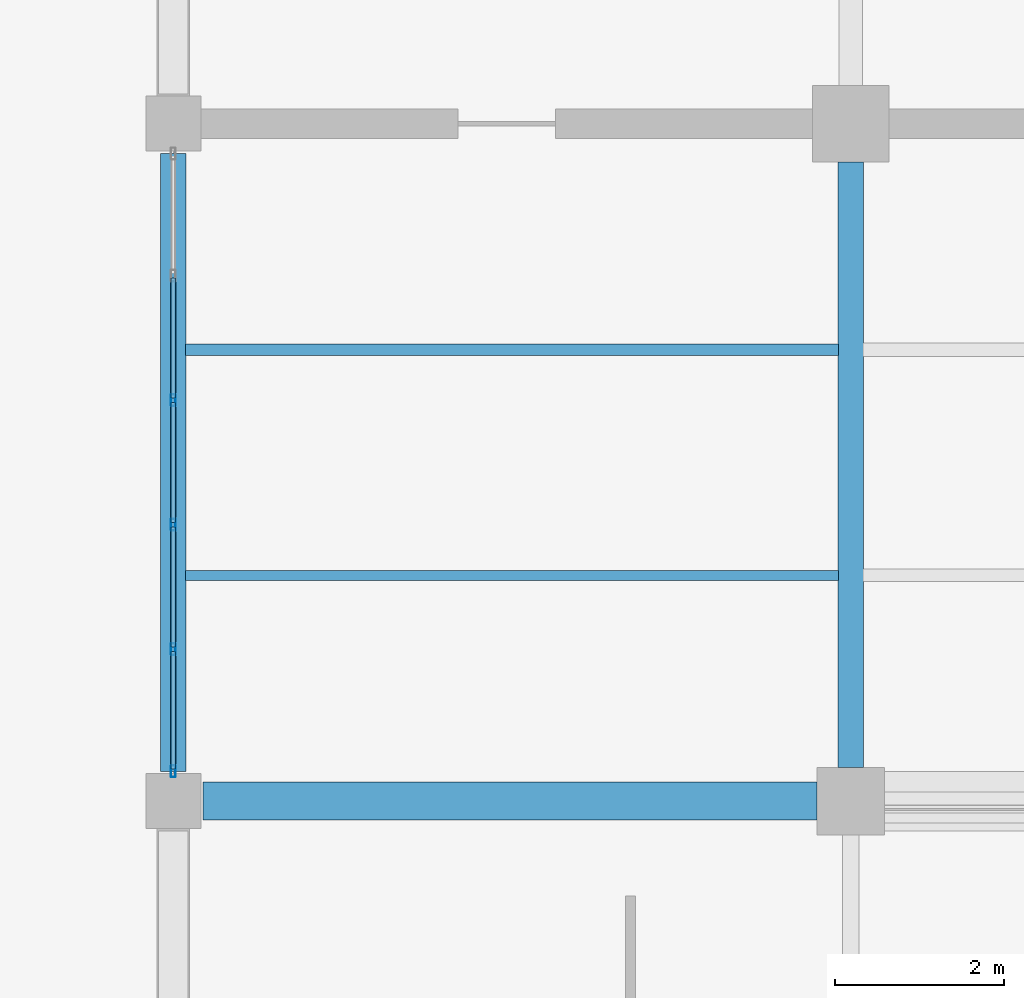
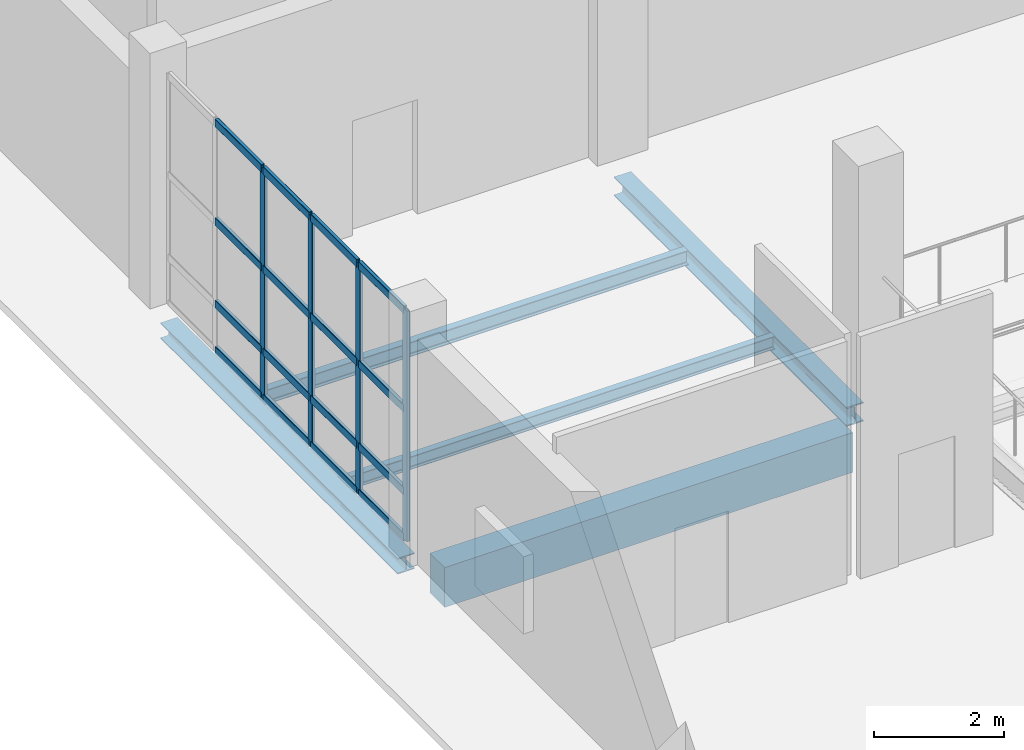
# One storey, part 33 of 156: 20 members, 5 beams, 1 element without a shape of its own.
"""IFC4 building model written with IfcOpenShell, lengths in metres."""

from ifc_helpers import new_model, si_unit, direction, frame, origin, origin_2d, place, context, subcontext, project, spatial, rectangle, hollow_rectangle, i_section, extrude, material, material_profile, profile_set, type_object, element, aggregate, save


model = new_model("IFC4")

# Units and contexts
model_context = context("Model", 3, precision=1e-05, world=origin(), true_north=direction((0.0, 1.0)))
body_context = subcontext(model_context, "Body", "Model", "MODEL_VIEW")
ifc_project = project(units=[si_unit("LENGTHUNIT", "METRE"), si_unit("AREAUNIT", "SQUARE_METRE"), si_unit("VOLUMEUNIT", "CUBIC_METRE"), si_unit("PLANEANGLEUNIT", "RADIAN"), si_unit("MASSUNIT", "GRAM", prefix="KILO")], contexts=[model_context])

# Site, building, storey
site_placement = place(None, origin())
site = spatial("IfcSite", under=ifc_project, at=site_placement, CompositionType="ELEMENT")
building_placement = place(site_placement, origin())
building = spatial("IfcBuilding", under=site, at=building_placement, Name="Luwemba Playhouse", CompositionType="ELEMENT")
storey_placement = place(building_placement, origin())
storey = spatial("IfcBuildingStorey", under=building, at=storey_placement, Name="L00", CompositionType="ELEMENT", Elevation=0.0)

# Beams
ifc_material_1 = material(Name="Concrete C40/50", Category="concrete")
ifc_material_profile_1 = material_profile(ifc_material_1, rectangle(XDim=0.449951171875, YDim=0.75, at=origin_2d()))
ifc_profile_set_1 = profile_set([ifc_material_profile_1], Name="Concrete C40/50")
beam_type_1 = type_object("IfcBeamType", Name="BM-RB04", PredefinedType="BEAM", material=ifc_profile_set_1)
beam_1_placement = place(storey_placement, frame((4.35009765625, 60.0, -0.675048828125), z_axis=(1.0, 0.0, 0.0), x_axis=(0.0, 1.0, 0.0)))
element("IfcBeam", 1, at=beam_1_placement, inside=storey, type_object=beam_type_1, Name="L00 grid girder 0016", PredefinedType="BEAM", context=body_context, shape_type="SweptSolid", body=[
    extrude(rectangle(XDim=0.449951171875, YDim=0.75, at=origin_2d()), origin(), (0.0, 0.0, 1.0), 7.25),
])
ifc_material_2 = material(Name="Steel S355", Category="steel")
ifc_material_profile_2 = material_profile(ifc_material_2, i_section(OverallWidth=0.300048828125, OverallDepth=0.360107421875, WebThickness=0.012451171875, FlangeThickness=0.0224609375, FilletRadius=0.027099609375, at=origin_2d()))
ifc_profile_set_2 = profile_set([ifc_material_profile_2], Name="Steel S355")
beam_type_2 = type_object("IfcBeamType", Name="BM-SB09", PredefinedType="BEAM", material=ifc_profile_set_2)
beam_2_placement = place(storey_placement, frame((12.0, 60.39990234375, -0.47998046875), z_axis=(0.0, 1.0, 0.0), x_axis=(-1.0, 0.0, 0.0)))
element("IfcBeam", 2, at=beam_2_placement, inside=storey, type_object=beam_type_2, Name="L00 transverse girder 0026", PredefinedType="BEAM", context=body_context, shape_type="SweptSolid", body=[
    extrude(i_section(OverallWidth=0.300048828125, OverallDepth=0.360107421875, WebThickness=0.012451171875, FlangeThickness=0.0224609375, FilletRadius=0.027099609375, at=origin_2d()), origin(), (0.0, 0.0, 1.0), 7.150146484375),
])
ifc_material_profile_3 = material_profile(ifc_material_2, i_section(OverallWidth=0.1201171875, OverallDepth=0.239990234375, WebThickness=0.006103515625, FlangeThickness=0.009765625, FilletRadius=0.014892578125, at=origin_2d()))
ifc_profile_set_3 = profile_set([ifc_material_profile_3], Name="Steel S355")
beam_type_3 = type_object("IfcBeamType", Name="BM-SJ03", PredefinedType="JOIST", material=ifc_profile_set_3)
beam_3_placement = place(storey_placement, frame((4.14599609375, 62.666748046875, -0.419921875), z_axis=(1.0, 0.0, 0.0), x_axis=(0.0, 1.0, 0.0)))
element("IfcBeam", 3, at=beam_3_placement, inside=storey, type_object=beam_type_3, Name="L00 composite floor joist 0005", PredefinedType="JOIST", context=body_context, shape_type="SweptSolid", body=[
    extrude(i_section(OverallWidth=0.1201171875, OverallDepth=0.239990234375, WebThickness=0.006103515625, FlangeThickness=0.009765625, FilletRadius=0.014892578125, at=origin_2d()), origin(), (0.0, 0.0, 1.0), 7.7080078125),
])
ifc_material_profile_4 = material_profile(ifc_material_2, i_section(OverallWidth=0.135009765625, OverallDepth=0.27001953125, WebThickness=0.006591796875, FlangeThickness=0.01025390625, FilletRadius=0.014892578125, at=origin_2d()))
ifc_profile_set_4 = profile_set([ifc_material_profile_4], Name="Steel S355")
beam_type_4 = type_object("IfcBeamType", Name="BM-SJ04", PredefinedType="JOIST", material=ifc_profile_set_4)
beam_4_placement = place(storey_placement, frame((4.14599609375, 65.333251953125, -0.43505859375), z_axis=(1.0, 0.0, 0.0), x_axis=(0.0, 1.0, 0.0)))
element("IfcBeam", 4, at=beam_4_placement, inside=storey, type_object=beam_type_4, Name="L00 composite floor joist 0006", PredefinedType="JOIST", context=body_context, shape_type="SweptSolid", body=[
    extrude(i_section(OverallWidth=0.135009765625, OverallDepth=0.27001953125, WebThickness=0.006591796875, FlangeThickness=0.01025390625, FilletRadius=0.014892578125, at=origin_2d()), origin(), (0.0, 0.0, 1.0), 7.7080078125),
])
ifc_material_profile_5 = material_profile(ifc_material_2, i_section(OverallWidth=0.300048828125, OverallDepth=0.300048828125, WebThickness=0.010986328125, FlangeThickness=0.01904296875, FilletRadius=0.027099609375, at=origin_2d()))
ifc_profile_set_5 = profile_set([ifc_material_profile_5], Name="Steel S355")
beam_type_5 = type_object("IfcBeamType", Name="BM-SSP1", PredefinedType="SPANDREL", material=ifc_profile_set_5)
beam_5_placement = place(storey_placement, frame((4.0, 60.35009765625, -0.449951171875), z_axis=(0.0, 1.0, 0.0), x_axis=(-1.0, 0.0, 0.0)))
element("IfcBeam", 5, at=beam_5_placement, inside=storey, type_object=beam_type_5, Name="L00 transverse girder 0022", PredefinedType="SPANDREL", context=body_context, shape_type="SweptSolid", body=[
    extrude(i_section(OverallWidth=0.300048828125, OverallDepth=0.300048828125, WebThickness=0.010986328125, FlangeThickness=0.01904296875, FilletRadius=0.027099609375, at=origin_2d()), origin(), (0.0, 0.0, 1.0), 7.2998046875),
])

# Curtain wall, members
ifc_material_3 = material(Name="Solar-control double glazing", Category="glass")
curtain_wall_type = type_object("IfcCurtainWallType", Name="CW-CW05", PredefinedType="USERDEFINED", material=ifc_material_3)
curtain_wall_placement = place(storey_placement, origin())
curtain_wall = element("IfcCurtainWall", 6, at=curtain_wall_placement, inside=storey, type_object=curtain_wall_type, Name="L00 V1 unitised curtain wall 005", ObjectType="UNITISED GLAZING", PredefinedType="USERDEFINED")
ifc_material_4 = material(Name="Aluminium 6063-T6", Category="aluminium")
ifc_material_profile_6 = material_profile(ifc_material_4, hollow_rectangle(XDim=0.054931640625, YDim=0.139892578125, WallThickness=0.00390625, InnerFilletRadius=0.006103515625, OuterFilletRadius=0.010009765625, at=origin_2d()))
ifc_profile_set_6 = profile_set([ifc_material_profile_6], Name="Aluminium 6063-T6")
member_type_1 = type_object("IfcMemberType", Name="CWM-M3", PredefinedType="MULLION", material=ifc_profile_set_6)
member_1_placement = place(storey_placement, frame((4.0, 60.3525390625, 0.0), z_axis=(0.0, 0.0, 1.0), x_axis=(-1.0, 0.0, 0.0)))
member_1 = element("IfcMember", 7, at=member_1_placement, type_object=member_type_1, Name="CW05 mullion 1", PredefinedType="MULLION", context=body_context, shape_type="SweptSolid", body=[
    extrude(hollow_rectangle(XDim=0.054931640625, YDim=0.139892578125, WallThickness=0.00390625, InnerFilletRadius=0.006103515625, OuterFilletRadius=0.010009765625, at=origin_2d()), origin(), (0.0, 0.0, 1.0), 4.3349609375),
])
member_2_placement = place(storey_placement, frame((4.0, 61.794921875, 0.0), z_axis=(0.0, 0.0, 1.0), x_axis=(-1.0, 0.0, 0.0)))
member_2 = element("IfcMember", 8, at=member_2_placement, type_object=member_type_1, Name="CW05 mullion 2", PredefinedType="MULLION", context=body_context, shape_type="SweptSolid", body=[
    extrude(hollow_rectangle(XDim=0.054931640625, YDim=0.139892578125, WallThickness=0.00390625, InnerFilletRadius=0.006103515625, OuterFilletRadius=0.010009765625, at=origin_2d()), origin(), (0.0, 0.0, 1.0), 4.3349609375),
])
member_3_placement = place(storey_placement, frame((4.0, 63.264892578125, 0.0), z_axis=(0.0, 0.0, 1.0), x_axis=(-1.0, 0.0, 0.0)))
member_3 = element("IfcMember", 9, at=member_3_placement, type_object=member_type_1, Name="CW05 mullion 3", PredefinedType="MULLION", context=body_context, shape_type="SweptSolid", body=[
    extrude(hollow_rectangle(XDim=0.054931640625, YDim=0.139892578125, WallThickness=0.00390625, InnerFilletRadius=0.006103515625, OuterFilletRadius=0.010009765625, at=origin_2d()), origin(), (0.0, 0.0, 1.0), 4.3349609375),
])
member_4_placement = place(storey_placement, frame((4.0, 64.735107421875, 0.0), z_axis=(0.0, 0.0, 1.0), x_axis=(-1.0, 0.0, 0.0)))
member_4 = element("IfcMember", 10, at=member_4_placement, type_object=member_type_1, Name="CW05 mullion 4", PredefinedType="MULLION", context=body_context, shape_type="SweptSolid", body=[
    extrude(hollow_rectangle(XDim=0.054931640625, YDim=0.139892578125, WallThickness=0.00390625, InnerFilletRadius=0.006103515625, OuterFilletRadius=0.010009765625, at=origin_2d()), origin(), (0.0, 0.0, 1.0), 4.3349609375),
])
ifc_material_profile_7 = material_profile(ifc_material_4, hollow_rectangle(XDim=0.06494140625, YDim=0.14990234375, WallThickness=0.00390625, InnerFilletRadius=0.006103515625, OuterFilletRadius=0.010009765625, at=origin_2d()))
ifc_profile_set_7 = profile_set([ifc_material_profile_7], Name="Aluminium 6063-T6")
member_type_2 = type_object("IfcMemberType", Name="CWT-T3", PredefinedType="USERDEFINED", material=ifc_profile_set_7)
member_5_placement = place(storey_placement, frame((4.0, 60.3798828125, 0.032470703125), z_axis=(0.0, 1.0, 0.0), x_axis=(-1.0, 0.0, 0.0)))
member_5 = element("IfcMember", 11, at=member_5_placement, type_object=member_type_2, Name="CW05 transom 1.1", ObjectType="TRANSOM", PredefinedType="USERDEFINED", context=body_context, shape_type="SweptSolid", body=[
    extrude(hollow_rectangle(XDim=0.06494140625, YDim=0.14990234375, WallThickness=0.00390625, InnerFilletRadius=0.006103515625, OuterFilletRadius=0.010009765625, at=origin_2d()), origin(), (0.0, 0.0, 1.0), 1.3876953125),
])
member_6_placement = place(storey_placement, frame((4.0, 60.3798828125, 0.89990234375), z_axis=(0.0, 1.0, 0.0), x_axis=(-1.0, 0.0, 0.0)))
member_6 = element("IfcMember", 12, at=member_6_placement, type_object=member_type_2, Name="CW05 transom 1.2", ObjectType="TRANSOM", PredefinedType="USERDEFINED", context=body_context, shape_type="SweptSolid", body=[
    extrude(hollow_rectangle(XDim=0.06494140625, YDim=0.14990234375, WallThickness=0.00390625, InnerFilletRadius=0.006103515625, OuterFilletRadius=0.010009765625, at=origin_2d()), origin(), (0.0, 0.0, 1.0), 1.3876953125),
])
member_7_placement = place(storey_placement, frame((4.0, 60.3798828125, 2.449951171875), z_axis=(0.0, 1.0, 0.0), x_axis=(-1.0, 0.0, 0.0)))
member_7 = element("IfcMember", 13, at=member_7_placement, type_object=member_type_2, Name="CW05 transom 1.3", ObjectType="TRANSOM", PredefinedType="USERDEFINED", context=body_context, shape_type="SweptSolid", body=[
    extrude(hollow_rectangle(XDim=0.06494140625, YDim=0.14990234375, WallThickness=0.00390625, InnerFilletRadius=0.006103515625, OuterFilletRadius=0.010009765625, at=origin_2d()), origin(), (0.0, 0.0, 1.0), 1.3876953125),
])
member_8_placement = place(storey_placement, frame((4.0, 60.3798828125, 4.302490234375), z_axis=(0.0, 1.0, 0.0), x_axis=(-1.0, 0.0, 0.0)))
member_8 = element("IfcMember", 14, at=member_8_placement, type_object=member_type_2, Name="CW05 transom 1.4", ObjectType="TRANSOM", PredefinedType="USERDEFINED", context=body_context, shape_type="SweptSolid", body=[
    extrude(hollow_rectangle(XDim=0.06494140625, YDim=0.14990234375, WallThickness=0.00390625, InnerFilletRadius=0.006103515625, OuterFilletRadius=0.010009765625, at=origin_2d()), origin(), (0.0, 0.0, 1.0), 1.3876953125),
])
member_9_placement = place(storey_placement, frame((4.0, 61.822509765625, 0.032470703125), z_axis=(0.0, 1.0, 0.0), x_axis=(-1.0, 0.0, 0.0)))
member_9 = element("IfcMember", 15, at=member_9_placement, type_object=member_type_2, Name="CW05 transom 2.1", ObjectType="TRANSOM", PredefinedType="USERDEFINED", context=body_context, shape_type="SweptSolid", body=[
    extrude(hollow_rectangle(XDim=0.06494140625, YDim=0.14990234375, WallThickness=0.00390625, InnerFilletRadius=0.006103515625, OuterFilletRadius=0.010009765625, at=origin_2d()), origin(), (0.0, 0.0, 1.0), 1.4150390625),
])
member_10_placement = place(storey_placement, frame((4.0, 61.822509765625, 0.89990234375), z_axis=(0.0, 1.0, 0.0), x_axis=(-1.0, 0.0, 0.0)))
member_10 = element("IfcMember", 16, at=member_10_placement, type_object=member_type_2, Name="CW05 transom 2.2", ObjectType="TRANSOM", PredefinedType="USERDEFINED", context=body_context, shape_type="SweptSolid", body=[
    extrude(hollow_rectangle(XDim=0.06494140625, YDim=0.14990234375, WallThickness=0.00390625, InnerFilletRadius=0.006103515625, OuterFilletRadius=0.010009765625, at=origin_2d()), origin(), (0.0, 0.0, 1.0), 1.4150390625),
])
member_11_placement = place(storey_placement, frame((4.0, 61.822509765625, 2.449951171875), z_axis=(0.0, 1.0, 0.0), x_axis=(-1.0, 0.0, 0.0)))
member_11 = element("IfcMember", 17, at=member_11_placement, type_object=member_type_2, Name="CW05 transom 2.3", ObjectType="TRANSOM", PredefinedType="USERDEFINED", context=body_context, shape_type="SweptSolid", body=[
    extrude(hollow_rectangle(XDim=0.06494140625, YDim=0.14990234375, WallThickness=0.00390625, InnerFilletRadius=0.006103515625, OuterFilletRadius=0.010009765625, at=origin_2d()), origin(), (0.0, 0.0, 1.0), 1.4150390625),
])
member_12_placement = place(storey_placement, frame((4.0, 61.822509765625, 4.302490234375), z_axis=(0.0, 1.0, 0.0), x_axis=(-1.0, 0.0, 0.0)))
member_12 = element("IfcMember", 18, at=member_12_placement, type_object=member_type_2, Name="CW05 transom 2.4", ObjectType="TRANSOM", PredefinedType="USERDEFINED", context=body_context, shape_type="SweptSolid", body=[
    extrude(hollow_rectangle(XDim=0.06494140625, YDim=0.14990234375, WallThickness=0.00390625, InnerFilletRadius=0.006103515625, OuterFilletRadius=0.010009765625, at=origin_2d()), origin(), (0.0, 0.0, 1.0), 1.4150390625),
])
member_13_placement = place(storey_placement, frame((4.0, 63.29248046875, 0.032470703125), z_axis=(0.0, 1.0, 0.0), x_axis=(-1.0, 0.0, 0.0)))
member_13 = element("IfcMember", 19, at=member_13_placement, type_object=member_type_2, Name="CW05 transom 3.1", ObjectType="TRANSOM", PredefinedType="USERDEFINED", context=body_context, shape_type="SweptSolid", body=[
    extrude(hollow_rectangle(XDim=0.06494140625, YDim=0.14990234375, WallThickness=0.00390625, InnerFilletRadius=0.006103515625, OuterFilletRadius=0.010009765625, at=origin_2d()), origin(), (0.0, 0.0, 1.0), 1.4150390625),
])
member_14_placement = place(storey_placement, frame((4.0, 63.29248046875, 0.89990234375), z_axis=(0.0, 1.0, 0.0), x_axis=(-1.0, 0.0, 0.0)))
member_14 = element("IfcMember", 20, at=member_14_placement, type_object=member_type_2, Name="CW05 transom 3.2", ObjectType="TRANSOM", PredefinedType="USERDEFINED", context=body_context, shape_type="SweptSolid", body=[
    extrude(hollow_rectangle(XDim=0.06494140625, YDim=0.14990234375, WallThickness=0.00390625, InnerFilletRadius=0.006103515625, OuterFilletRadius=0.010009765625, at=origin_2d()), origin(), (0.0, 0.0, 1.0), 1.4150390625),
])
member_15_placement = place(storey_placement, frame((4.0, 63.29248046875, 2.449951171875), z_axis=(0.0, 1.0, 0.0), x_axis=(-1.0, 0.0, 0.0)))
member_15 = element("IfcMember", 21, at=member_15_placement, type_object=member_type_2, Name="CW05 transom 3.3", ObjectType="TRANSOM", PredefinedType="USERDEFINED", context=body_context, shape_type="SweptSolid", body=[
    extrude(hollow_rectangle(XDim=0.06494140625, YDim=0.14990234375, WallThickness=0.00390625, InnerFilletRadius=0.006103515625, OuterFilletRadius=0.010009765625, at=origin_2d()), origin(), (0.0, 0.0, 1.0), 1.4150390625),
])
member_16_placement = place(storey_placement, frame((4.0, 63.29248046875, 4.302490234375), z_axis=(0.0, 1.0, 0.0), x_axis=(-1.0, 0.0, 0.0)))
member_16 = element("IfcMember", 22, at=member_16_placement, type_object=member_type_2, Name="CW05 transom 3.4", ObjectType="TRANSOM", PredefinedType="USERDEFINED", context=body_context, shape_type="SweptSolid", body=[
    extrude(hollow_rectangle(XDim=0.06494140625, YDim=0.14990234375, WallThickness=0.00390625, InnerFilletRadius=0.006103515625, OuterFilletRadius=0.010009765625, at=origin_2d()), origin(), (0.0, 0.0, 1.0), 1.4150390625),
])
member_17_placement = place(storey_placement, frame((4.0, 64.762451171875, 0.032470703125), z_axis=(0.0, 1.0, 0.0), x_axis=(-1.0, 0.0, 0.0)))
member_17 = element("IfcMember", 23, at=member_17_placement, type_object=member_type_2, Name="CW05 transom 4.1", ObjectType="TRANSOM", PredefinedType="USERDEFINED", context=body_context, shape_type="SweptSolid", body=[
    extrude(hollow_rectangle(XDim=0.06494140625, YDim=0.14990234375, WallThickness=0.00390625, InnerFilletRadius=0.006103515625, OuterFilletRadius=0.010009765625, at=origin_2d()), origin(), (0.0, 0.0, 1.0), 1.4150390625),
])
member_18_placement = place(storey_placement, frame((4.0, 64.762451171875, 0.89990234375), z_axis=(0.0, 1.0, 0.0), x_axis=(-1.0, 0.0, 0.0)))
member_18 = element("IfcMember", 24, at=member_18_placement, type_object=member_type_2, Name="CW05 transom 4.2", ObjectType="TRANSOM", PredefinedType="USERDEFINED", context=body_context, shape_type="SweptSolid", body=[
    extrude(hollow_rectangle(XDim=0.06494140625, YDim=0.14990234375, WallThickness=0.00390625, InnerFilletRadius=0.006103515625, OuterFilletRadius=0.010009765625, at=origin_2d()), origin(), (0.0, 0.0, 1.0), 1.4150390625),
])
member_19_placement = place(storey_placement, frame((4.0, 64.762451171875, 2.449951171875), z_axis=(0.0, 1.0, 0.0), x_axis=(-1.0, 0.0, 0.0)))
member_19 = element("IfcMember", 25, at=member_19_placement, type_object=member_type_2, Name="CW05 transom 4.3", ObjectType="TRANSOM", PredefinedType="USERDEFINED", context=body_context, shape_type="SweptSolid", body=[
    extrude(hollow_rectangle(XDim=0.06494140625, YDim=0.14990234375, WallThickness=0.00390625, InnerFilletRadius=0.006103515625, OuterFilletRadius=0.010009765625, at=origin_2d()), origin(), (0.0, 0.0, 1.0), 1.4150390625),
])
member_20_placement = place(storey_placement, frame((4.0, 64.762451171875, 4.302490234375), z_axis=(0.0, 1.0, 0.0), x_axis=(-1.0, 0.0, 0.0)))
member_20 = element("IfcMember", 26, at=member_20_placement, type_object=member_type_2, Name="CW05 transom 4.4", ObjectType="TRANSOM", PredefinedType="USERDEFINED", context=body_context, shape_type="SweptSolid", body=[
    extrude(hollow_rectangle(XDim=0.06494140625, YDim=0.14990234375, WallThickness=0.00390625, InnerFilletRadius=0.006103515625, OuterFilletRadius=0.010009765625, at=origin_2d()), origin(), (0.0, 0.0, 1.0), 1.4150390625),
])
aggregate(curtain_wall, [member_1, member_2, member_3, member_4, member_5, member_6, member_7, member_8, member_9, member_10, member_11, member_12, member_13, member_14, member_15, member_16, member_17, member_18, member_19, member_20])

save(model, "model.ifc")
